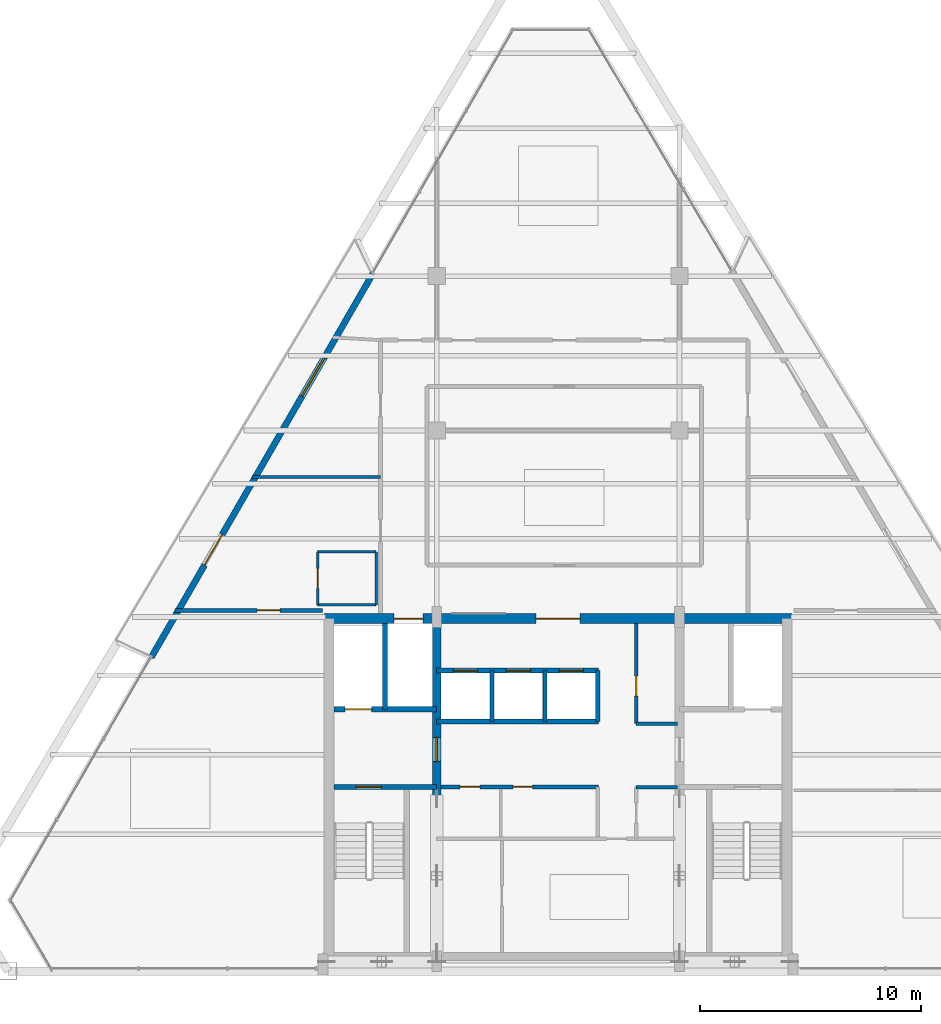
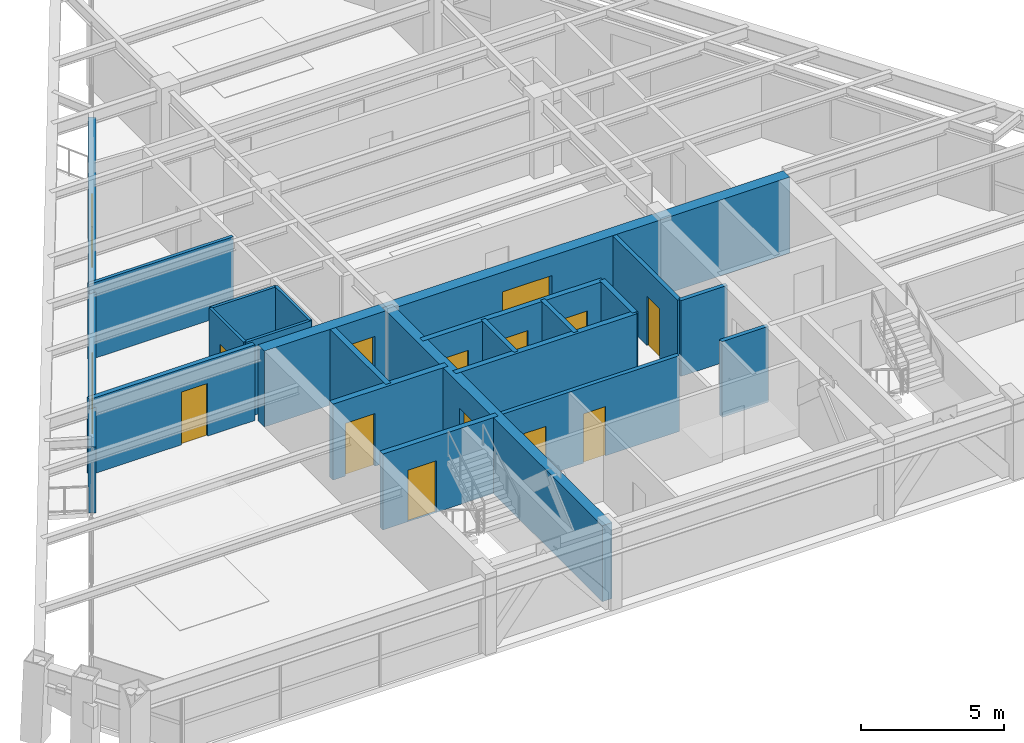
# One storey, part 9 of 13: 21 walls, 14 doors, 1 window, 15 openings.
"""IFC4 building model written with IfcOpenShell, lengths in metres."""

from ifc_helpers import new_model, si_unit, direction, frame, frame_2d, origin, place, context, subcontext, project, spatial, rectangle, extrude, source, transform, mapped, material, layer, layer_set, type_object, type_shapes, element, fill, save


model = new_model("IFC4")

# Units and contexts
model_context = context("Model", 3, precision=1e-05, world=origin(), true_north=direction((0.0, 1.0)))
body_context = subcontext(model_context, "Body", "Model", "MODEL_VIEW")
ifc_project = project(units=[si_unit("LENGTHUNIT", "METRE"), si_unit("AREAUNIT", "SQUARE_METRE"), si_unit("VOLUMEUNIT", "CUBIC_METRE"), si_unit("PLANEANGLEUNIT", "RADIAN"), si_unit("MASSUNIT", "GRAM", prefix="KILO")], contexts=[model_context])

# Site, building, storey
site_placement = place(None, origin())
site = spatial("IfcSite", under=ifc_project, at=site_placement, CompositionType="ELEMENT")
building_placement = place(site_placement, origin())
building = spatial("IfcBuilding", under=site, at=building_placement, Name="Varnakhor Terracotta Tower", CompositionType="ELEMENT")
storey_placement = place(building_placement, frame((0.0, 0.0, 276.449951171875)))
storey = spatial("IfcBuildingStorey", under=building, at=storey_placement, Name="L72", CompositionType="ELEMENT", Elevation=276.449951171875)

# Walls
ifc_material_1 = material(Name="Moisture-Resistant Tile-Backed Partition", Category="gypsum")
ifc_layer_1 = layer(ifc_material_1, 0.114990234375, Name="Moisture-Resistant Tile-Backed Partition")
ifc_layer_set_1 = layer_set([ifc_layer_1], Name="Moisture-Resistant Tile-Backed Partition")
wall_type_1 = type_object("IfcWallType", Name="WAL-BATH-115", PredefinedType="PARTITIONING", material=ifc_layer_set_1)
for number, where, z_axis, x_axis, name in (
    (1, (-10.89990234375, 16.60009765625, 0.0), (0.0, 0.0, 1.0), (1.0, 0.0, 0.0), "L72 En-Suite 1 Wall S"),
    (2, (-10.89990234375, 19.0, 0.0), (0.0, 0.0, 1.0), (1.0, 0.0, 0.0), "L72 En-Suite 1 Wall N"),
):
    element("IfcWall", number, at=place(storey_placement, frame(where, z_axis=z_axis, x_axis=x_axis)), inside=storey, type_object=wall_type_1, Name=name, PredefinedType="PARTITIONING", context=body_context, shape_type="SweptSolid", body=[
        extrude(rectangle(XDim=2.64990234375, YDim=0.114990234375, at=frame_2d((1.324951171875, 0.0))), origin(), (0.0, 0.0, 1.0), 3.23193359375),
    ])

# Wall, opening, door
wall_1_placement = place(storey_placement, frame((-10.89990234375, 16.60009765625, 0.0), z_axis=(0.0, 0.0, 1.0), x_axis=(0.0, 1.0, 0.0)))
wall_1 = element("IfcWall", 3, at=wall_1_placement, inside=storey, type_object=wall_type_1, Name="L72 En-Suite 1 Wall W", PredefinedType="PARTITIONING", context=body_context, shape_type="SweptSolid", body=[
    extrude(rectangle(XDim=2.39990234375, YDim=0.114990234375, at=frame_2d((1.199951171875, 0.0))), origin(), (0.0, 0.0, 1.0), 3.23193359375),
])
opening_1_placement = place(wall_1_placement, frame((0.75, 0.0, 0.0)))
opening_1 = element("IfcOpeningElement", 4, at=opening_1_placement, cuts=wall_1, Name="Opening DR-93", PredefinedType="OPENING", context=body_context, shape_type="SweptSolid", body=[
    extrude(rectangle(XDim=0.89990234375, YDim=2.14990234375, at=frame_2d((0.449951171875, 1.074951171875))), frame((0.0, 0.0673828125, 0.0), z_axis=(0.0, -1.0, 0.0), x_axis=(1.0, 0.0, 0.0)), (0.0, 0.0, 1.0), 0.135009765625),
])
ifc_material_2 = material(Name="Moisture-Resistant Accessible Bathroom Door", Category="wood")
door_type_1 = type_object("IfcDoorType", Name="DR-BATH-900X2150", OperationType="NOTDEFINED", PredefinedType="DOOR", material=ifc_material_2)
shared_shape_1 = source(origin(), body_context, "Body", "SweptSolid", [
    extrude(rectangle(XDim=0.89990234375, YDim=2.14990234375, at=frame_2d((0.449951171875, 1.074951171875))), frame((0.0, 0.02490234375, 0.0), z_axis=(0.0, -1.0, 0.0), x_axis=(1.0, 0.0, 0.0)), (0.0, 0.0, 1.0), 0.050048828125),
])
type_shapes(door_type_1, [shared_shape_1])
door_1_placement = place(opening_1_placement, origin())
door_1 = element("IfcDoor", 5, at=door_1_placement, inside=storey, type_object=door_type_1, Name="L72 En-Suite Bathroom 1 Door", OperationType="SINGLE_SWING_LEFT", OverallHeight=2.14990234375, OverallWidth=0.89990234375, PredefinedType="DOOR", context=body_context, shape_type="MappedRepresentation", body=[
    mapped(shared_shape_1, transform((0.0, 0.0, 0.0), scale=1.0)),
])
fill(opening_1, door_1)

# Wall
wall_2_placement = place(storey_placement, frame((-8.25, 16.60009765625, 0.0), z_axis=(0.0, 0.0, 1.0), x_axis=(0.0, 1.0, 0.0)))
element("IfcWall", 6, at=wall_2_placement, inside=storey, type_object=wall_type_1, Name="L72 En-Suite 1 Wall E", PredefinedType="PARTITIONING", context=body_context, shape_type="SweptSolid", body=[
    extrude(rectangle(XDim=2.39990234375, YDim=0.114990234375, at=frame_2d((1.199951171875, 0.0))), origin(), (0.0, 0.0, 1.0), 3.23193359375),
])

# Wall, openings, doors
ifc_material_3 = material(Name="Concrete C50/60", Category="concrete")
ifc_layer_2 = layer(ifc_material_3, 0.449951171875, Name="Concrete C50/60")
ifc_layer_set_2 = layer_set([ifc_layer_2], Name="Concrete C50/60")
wall_type_2 = type_object("IfcWallType", Name="WAL-CORE-450", PredefinedType="SHEAR", material=ifc_layer_set_2)
wall_3_placement = place(storey_placement, frame((-10.60009765625, 15.97509765625, 0.0), z_axis=(0.0, 0.0, 1.0), x_axis=(1.0, 0.0, 0.0)))
wall_3 = element("IfcWall", 7, at=wall_3_placement, inside=storey, type_object=wall_type_2, Name="L72 North Core Shear Wall", PredefinedType="SHEAR", context=body_context, shape_type="SweptSolid", body=[
    extrude(rectangle(XDim=21.2001953125, YDim=0.449951171875, at=frame_2d((10.60009765625, 0.0))), origin(), (0.0, 0.0, 1.0), 3.239990234375),
])
opening_2_placement = place(wall_3_placement, frame((3.169921875, 0.0, 0.0)))
opening_2 = element("IfcOpeningElement", 8, at=opening_2_placement, cuts=wall_3, Name="Opening LD-03", PredefinedType="OPENING", context=body_context, shape_type="SweptSolid", body=[
    extrude(rectangle(XDim=1.300048828125, YDim=2.300048828125, at=frame_2d((0.64990234375, 1.14990234375))), frame((0.0, 0.23486328125, 0.0), z_axis=(0.0, -1.0, 0.0), x_axis=(1.0, 0.0, 0.0)), (0.0, 0.0, 1.0), 0.469970703125),
])
opening_3_placement = place(wall_3_placement, frame((9.60009765625, 0.0, 0.0)))
opening_3 = element("IfcOpeningElement", 9, at=opening_3_placement, cuts=wall_3, Name="Opening DR-32", PredefinedType="OPENING", context=body_context, shape_type="SweptSolid", body=[
    extrude(rectangle(XDim=2.0, YDim=2.39990234375, at=frame_2d((1.0, 1.199951171875))), frame((0.0, 0.23486328125, 0.0), z_axis=(0.0, -1.0, 0.0), x_axis=(1.0, 0.0, 0.0)), (0.0, 0.0, 1.0), 0.469970703125),
])
ifc_material_4 = material(Name="Heavy-Duty Goods Sliding Lift Landing Door", Category="steel")
door_type_2 = type_object("IfcDoorType", Name="LD-SRV-1300X2300", OperationType="NOTDEFINED", PredefinedType="DOOR", material=ifc_material_4)
shared_shape_2 = source(origin(), body_context, "Body", "SweptSolid", [
    extrude(rectangle(XDim=1.300048828125, YDim=2.300048828125, at=frame_2d((0.64990234375, 1.14990234375))), frame((0.0, 0.02490234375, 0.0), z_axis=(0.0, -1.0, 0.0), x_axis=(1.0, 0.0, 0.0)), (0.0, 0.0, 1.0), 0.050048828125),
])
type_shapes(door_type_2, [shared_shape_2])
door_2_placement = place(opening_2_placement, origin())
door_2 = element("IfcDoor", 10, at=door_2_placement, inside=storey, type_object=door_type_2, Name="L72 Service Lift SVL-1 Landing Door", OperationType="SLIDING_TO_RIGHT", OverallHeight=2.300048828125, OverallWidth=1.300048828125, PredefinedType="DOOR", context=body_context, shape_type="MappedRepresentation", body=[
    mapped(shared_shape_2, transform((0.0, 0.0, 0.0), scale=1.0)),
])
fill(opening_2, door_2)
ifc_material_5 = material(Name="Acoustic Double Assembly Fire Door", Category="wood")
door_type_3 = type_object("IfcDoorType", Name="DR-HALL-2000X2400", OperationType="NOTDEFINED", PredefinedType="DOOR", material=ifc_material_5)
shared_shape_3 = source(origin(), body_context, "Body", "SweptSolid", [
    extrude(rectangle(XDim=2.0, YDim=2.39990234375, at=frame_2d((1.0, 1.199951171875))), frame((0.0, 0.02490234375, 0.0), z_axis=(0.0, -1.0, 0.0), x_axis=(1.0, 0.0, 0.0)), (0.0, 0.0, 1.0), 0.050048828125),
])
type_shapes(door_type_3, [shared_shape_3])
door_3_placement = place(opening_3_placement, origin())
door_3 = element("IfcDoor", 11, at=door_3_placement, inside=storey, type_object=door_type_3, Name="L72 Core Main Lobby Double Door", OperationType="DOUBLE_DOOR_SINGLE_SWING", OverallHeight=2.39990234375, OverallWidth=2.0, PredefinedType="DOOR", context=body_context, shape_type="MappedRepresentation", body=[
    mapped(shared_shape_3, transform((0.0, 0.0, 0.0), scale=1.0)),
])
fill(opening_3, door_3)

# Wall, opening, door
ifc_layer_3 = layer(ifc_material_3, 0.39990234375, Name="Concrete C50/60")
ifc_layer_set_3 = layer_set([ifc_layer_3], Name="Concrete C50/60")
wall_type_3 = type_object("IfcWallType", Name="WAL-CORE-WEB-400", PredefinedType="SHEAR", material=ifc_layer_set_3)
wall_4_placement = place(storey_placement, frame((-5.5, 0.625, 0.0), z_axis=(0.0, 0.0, 1.0), x_axis=(0.0, 1.0, 0.0)))
wall_4 = element("IfcWall", 12, at=wall_4_placement, inside=storey, type_object=wall_type_3, Name="L72 West Core Web Shear Wall", PredefinedType="SHEAR", context=body_context, shape_type="SweptSolid", body=[
    extrude(rectangle(XDim=15.35009765625, YDim=0.39990234375, at=frame_2d((7.675048828125, 0.0))), origin(), (0.0, 0.0, 1.0), 3.239990234375),
])
opening_4_placement = place(wall_4_placement, frame((8.875, 0.0, 0.0)))
opening_4 = element("IfcOpeningElement", 13, at=opening_4_placement, cuts=wall_4, Name="Opening DR-25", PredefinedType="OPENING", context=body_context, shape_type="SweptSolid", body=[
    extrude(rectangle(XDim=1.10009765625, YDim=2.199951171875, at=frame_2d((0.550048828125, 1.10009765625))), frame((0.0, 0.2099609375, 0.0), z_axis=(0.0, -1.0, 0.0), x_axis=(1.0, 0.0, 0.0)), (0.0, 0.0, 1.0), 0.419921875),
])
ifc_material_6 = material(Name="Firefighting Lobby Self-Closing Fire Door", Category="steel")
door_type_4 = type_object("IfcDoorType", Name="DR-FFL-1100X2200", OperationType="NOTDEFINED", PredefinedType="DOOR", material=ifc_material_6)
shared_shape_4 = source(origin(), body_context, "Body", "SweptSolid", [
    extrude(rectangle(XDim=1.10009765625, YDim=2.199951171875, at=frame_2d((0.550048828125, 1.10009765625))), frame((0.0, 0.02490234375, 0.0), z_axis=(0.0, -1.0, 0.0), x_axis=(1.0, 0.0, 0.0)), (0.0, 0.0, 1.0), 0.050048828125),
])
type_shapes(door_type_4, [shared_shape_4])
door_4_placement = place(opening_4_placement, origin())
door_4 = element("IfcDoor", 14, at=door_4_placement, inside=storey, type_object=door_type_4, Name="L72 West Firefighting Lobby Door", OperationType="SINGLE_SWING_RIGHT", OverallHeight=2.199951171875, OverallWidth=1.10009765625, PredefinedType="DOOR", context=body_context, shape_type="MappedRepresentation", body=[
    mapped(shared_shape_4, transform((0.0, 0.0, 0.0), scale=1.0)),
])
fill(opening_4, door_4)

ifc_material_7 = material(Name="Fire-Rated Gypsum Stud Partition", Category="gypsum")
ifc_layer_4 = layer(ifc_material_7, 0.18505859375, Name="Fire-Rated Gypsum Stud Partition")
ifc_layer_set_4 = layer_set([ifc_layer_4], Name="Fire-Rated Gypsum Stud Partition")
wall_type_4 = type_object("IfcWallType", Name="WAL-CORR-185", PredefinedType="PARTITIONING", material=ifc_layer_set_4)
wall_5_placement = place(storey_placement, frame((-17.35986328125, 16.35009765625, 0.0), z_axis=(0.0, 0.0, 1.0), x_axis=(1.0, 0.0, 0.0)))
wall_5 = element("IfcWall", 15, at=wall_5_placement, inside=storey, type_object=wall_type_4, Name="L72 South West Guest Entry Wall", PredefinedType="PARTITIONING", context=body_context, shape_type="SweptSolid", body=[
    extrude(rectangle(XDim=6.679931640625, YDim=0.18505859375, at=frame_2d((3.33984375, 0.0))), origin(), (0.0, 0.0, 1.0), 3.23193359375),
])
opening_5_placement = place(wall_5_placement, frame((3.71484375, 0.0, 0.0)))
opening_5 = element("IfcOpeningElement", 16, at=opening_5_placement, cuts=wall_5, Name="Opening DR-95", PredefinedType="OPENING", context=body_context, shape_type="SweptSolid", body=[
    extrude(rectangle(XDim=1.050048828125, YDim=2.25, at=frame_2d((0.52490234375, 1.125))), frame((0.0, 0.1025390625, 0.0), z_axis=(0.0, -1.0, 0.0), x_axis=(1.0, 0.0, 0.0)), (0.0, 0.0, 1.0), 0.205078125),
])
ifc_material_8 = material(Name="Solid-Core Timber Tenant/Hotel Entrance Door", Category="wood")
door_type_5 = type_object("IfcDoorType", Name="DR-SUITE-1050X2250", OperationType="NOTDEFINED", PredefinedType="DOOR", material=ifc_material_8)
shared_shape_5 = source(origin(), body_context, "Body", "SweptSolid", [
    extrude(rectangle(XDim=1.050048828125, YDim=2.25, at=frame_2d((0.52490234375, 1.125))), frame((0.0, 0.02490234375, 0.0), z_axis=(0.0, -1.0, 0.0), x_axis=(1.0, 0.0, 0.0)), (0.0, 0.0, 1.0), 0.050048828125),
])
type_shapes(door_type_5, [shared_shape_5])
door_5_placement = place(opening_5_placement, origin())
door_5 = element("IfcDoor", 17, at=door_5_placement, inside=storey, type_object=door_type_5, Name="L72 SW Suite Entry Door", OperationType="SINGLE_SWING_LEFT", OverallHeight=2.25, OverallWidth=1.050048828125, PredefinedType="DOOR", context=body_context, shape_type="MappedRepresentation", body=[
    mapped(shared_shape_5, transform((0.0, 0.0, 0.0), scale=1.0)),
])
fill(opening_5, door_5)

# Wall, openings, door, window
ifc_material_9 = material(Name="Extruded Architectural Terracotta Assembly", Category="masonry")
ifc_layer_5 = layer(ifc_material_9, 0.280029296875, Name="Extruded Architectural Terracotta Assembly")
ifc_layer_set_5 = layer_set([ifc_layer_5], Name="Extruded Architectural Terracotta Assembly")
wall_type_5 = type_object("IfcWallType", Name="WAL-EXT-TERRACOTTA-280", PredefinedType="SOLIDWALL", material=ifc_layer_set_5)
wall_6_placement = place(storey_placement, frame((-18.434814453125, 14.228759765625, 0.0), z_axis=(0.0, 0.0, 1.0), x_axis=(0.50006385546, 0.865988533678, 0.0)))
wall_6 = element("IfcWall", 18, at=wall_6_placement, inside=storey, type_object=wall_type_5, Name="L72 W Loggia Insulated Terracotta Wall", PredefinedType="SOLIDWALL", context=body_context, shape_type="SweptSolid", body=[
    extrude(rectangle(XDim=20.096923828125, YDim=0.280029296875, at=frame_2d((10.04833984375, 0.0))), origin(), (0.0, 0.0, 1.0), 2.820068359375),
])
opening_6_placement = place(wall_6_placement, frame((4.8232421875, 0.0, 0.0)))
opening_6 = element("IfcOpeningElement", 19, at=opening_6_placement, cuts=wall_6, Name="Opening DR-62", PredefinedType="OPENING", context=body_context, shape_type="SweptSolid", body=[
    extrude(rectangle(XDim=1.60009765625, YDim=2.35009765625, at=frame_2d((0.800048828125, 1.175048828125))), frame((0.0, 0.14990234375, 0.0), z_axis=(0.0, -1.0, 0.0), x_axis=(1.0, 0.0, 0.0)), (0.0, 0.0, 1.0), 0.300048828125),
])
opening_7_placement = place(wall_6_placement, frame((13.666015625, 0.0, 0.89990234375)))
opening_7 = element("IfcOpeningElement", 20, at=opening_7_placement, cuts=wall_6, Name="Opening WN-63", PredefinedType="OPENING", context=body_context, shape_type="SweptSolid", body=[
    extrude(rectangle(XDim=2.0, YDim=1.75, at=frame_2d((1.0, 0.875))), frame((0.0, 0.14990234375, 0.0), z_axis=(0.0, -1.0, 0.0), x_axis=(1.0, 0.0, 0.0)), (0.0, 0.0, 1.0), 0.300048828125),
])
ifc_material_10 = material(Name="Thermally Broken Sliding Glass Loggia Door", Category="glass")
door_type_6 = type_object("IfcDoorType", Name="DR-EXT-LOGGIA-1600X2350", OperationType="NOTDEFINED", PredefinedType="DOOR", material=ifc_material_10)
shared_shape_6 = source(origin(), body_context, "Body", "SweptSolid", [
    extrude(rectangle(XDim=1.60009765625, YDim=2.35009765625, at=frame_2d((0.800048828125, 1.175048828125))), frame((0.0, 0.02490234375, 0.0), z_axis=(0.0, -1.0, 0.0), x_axis=(1.0, 0.0, 0.0)), (0.0, 0.0, 1.0), 0.050048828125),
])
type_shapes(door_type_6, [shared_shape_6])
door_6_placement = place(opening_6_placement, origin())
door_6 = element("IfcDoor", 21, at=door_6_placement, inside=storey, type_object=door_type_6, Name="L72 W Recessed Loggia Sliding Door", OperationType="SLIDING_TO_LEFT", OverallHeight=2.35009765625, OverallWidth=1.60009765625, PredefinedType="DOOR", context=body_context, shape_type="MappedRepresentation", body=[
    mapped(shared_shape_6, transform((0.0, 0.0, 0.0), scale=1.0)),
])
fill(opening_6, door_6)
ifc_material_11 = material(Name="Solar-Control Low-E Insulated Glass Unit", Category="glass")
window_type = type_object("IfcWindowType", Name="WIN-HTL-2000X1950", PartitioningType="SINGLE_PANEL", PredefinedType="WINDOW", material=ifc_material_11)
shared_shape_7 = source(origin(), body_context, "Body", "SweptSolid", [
    extrude(rectangle(XDim=2.0, YDim=1.75, at=frame_2d((1.0, 0.875))), frame((0.0, 0.030029296875, 0.0), z_axis=(0.0, -1.0, 0.0), x_axis=(1.0, 0.0, 0.0)), (0.0, 0.0, 1.0), 0.06005859375),
])
type_shapes(window_type, [shared_shape_7])
window_placement = place(opening_7_placement, origin())
window = element("IfcWindow", 22, at=window_placement, inside=storey, type_object=window_type, Name="L72 W Facet Punched Window", OverallHeight=1.75, OverallWidth=2.0, PartitioningType="SINGLE_PANEL", PredefinedType="WINDOW", context=body_context, shape_type="MappedRepresentation", body=[
    mapped(shared_shape_7, transform((0.0, 0.0, 0.0), scale=1.0)),
])
fill(opening_7, window)

# Wall, opening, door
ifc_material_12 = material(Name="Concrete C40/50", Category="concrete")
ifc_layer_6 = layer(ifc_material_12, 0.219970703125, Name="Concrete C40/50")
ifc_layer_set_6 = layer_set([ifc_layer_6], Name="Concrete C40/50")
wall_type_6 = type_object("IfcWallType", Name="WAL-FFLOBBY-220", PredefinedType="SOLIDWALL", material=ifc_layer_set_6)
wall_7_placement = place(storey_placement, frame((-5.5, 8.35009765625, 0.0), z_axis=(0.0, 0.0, 1.0), x_axis=(-1.0, 0.0, 0.0)))
wall_7 = element("IfcWall", 23, at=wall_7_placement, inside=storey, type_object=wall_type_6, Name="L72 West Firefighting Lobby Stair Wall", PredefinedType="SOLIDWALL", context=body_context, shape_type="SweptSolid", body=[
    extrude(rectangle(XDim=4.64990234375, YDim=0.219970703125, at=frame_2d((2.324951171875, 0.0))), origin(), (0.0, 0.0, 1.0), 3.239990234375),
])
opening_8_placement = place(wall_7_placement, frame((2.5, 0.0, 0.0)))
opening_8 = element("IfcOpeningElement", 24, at=opening_8_placement, cuts=wall_7, Name="Opening DR-34", PredefinedType="OPENING", context=body_context, shape_type="SweptSolid", body=[
    extrude(rectangle(XDim=1.14990234375, YDim=2.199951171875, at=frame_2d((0.574951171875, 1.10009765625))), frame((0.0, 0.1201171875, 0.0), z_axis=(0.0, -1.0, 0.0), x_axis=(1.0, 0.0, 0.0)), (0.0, 0.0, 1.0), 0.239990234375),
])
ifc_material_13 = material(Name="Self-Closing Smoke-Sealed Steel Fire Door", Category="steel")
door_type_7 = type_object("IfcDoorType", Name="DR-STAIR-1150X2200", OperationType="NOTDEFINED", PredefinedType="DOOR", material=ifc_material_13)
shared_shape_8 = source(origin(), body_context, "Body", "SweptSolid", [
    extrude(rectangle(XDim=1.14990234375, YDim=2.199951171875, at=frame_2d((0.574951171875, 1.10009765625))), frame((0.0, 0.02490234375, 0.0), z_axis=(0.0, -1.0, 0.0), x_axis=(1.0, 0.0, 0.0)), (0.0, 0.0, 1.0), 0.050048828125),
])
type_shapes(door_type_7, [shared_shape_8])
door_7_placement = place(opening_8_placement, origin())
door_7 = element("IfcDoor", 25, at=door_7_placement, inside=storey, type_object=door_type_7, Name="L72 Exit Stair ST-1 Fire Door", OperationType="SINGLE_SWING_LEFT", OverallHeight=2.199951171875, OverallWidth=1.14990234375, PredefinedType="DOOR", context=body_context, shape_type="MappedRepresentation", body=[
    mapped(shared_shape_8, transform((0.0, 0.0, 0.0), scale=1.0)),
])
fill(opening_8, door_7)

# Walls
ifc_material_14 = material(Name="Acoustic Hotel Room Partition", Category="gypsum")
ifc_layer_7 = layer(ifc_material_14, 0.1298828125, Name="Acoustic Hotel Room Partition")
ifc_layer_set_7 = layer_set([ifc_layer_7], Name="Acoustic Hotel Room Partition")
wall_type_7 = type_object("IfcWallType", Name="WAL-PART-130", PredefinedType="PARTITIONING", material=ifc_layer_set_7)
wall_8_placement = place(storey_placement, frame((-13.866455078125, 22.39990234375, 0.0), z_axis=(0.0, 0.0, 1.0), x_axis=(1.0, 0.0, 0.0)))
element("IfcWall", 26, at=wall_8_placement, inside=storey, type_object=wall_type_7, Name="L72 West Key Cut 1", PredefinedType="PARTITIONING", context=body_context, shape_type="SweptSolid", body=[
    extrude(rectangle(XDim=5.81640625, YDim=0.1298828125, at=frame_2d((2.908203125, 0.0))), origin(), (0.0, 0.0, 1.0), 3.23193359375),
])
ifc_layer_8 = layer(ifc_material_12, 0.179931640625, Name="Concrete C40/50")
ifc_layer_set_8 = layer_set([ifc_layer_8], Name="Concrete C40/50")
wall_type_8 = type_object("IfcWallType", Name="WAL-SHAFT-180", PredefinedType="SOLIDWALL", material=ifc_layer_set_8)
for number, where, z_axis, x_axis, name in (
    (27, (-3.0, 11.320068359375, 0.0), (0.0, 0.0, 1.0), (0.0, 1.0, 0.0), "L72 PL-3A Divider"),
    (28, (-0.60009765625, 11.320068359375, 0.0), (0.0, 0.0, 1.0), (0.0, 1.0, 0.0), "L72 PL-3B Divider"),
):
    element("IfcWall", number, at=place(storey_placement, frame(where, z_axis=z_axis, x_axis=x_axis)), inside=storey, type_object=wall_type_8, Name=name, PredefinedType="SOLIDWALL", context=body_context, shape_type="SweptSolid", body=[
        extrude(rectangle(XDim=2.300048828125, YDim=0.179931640625, at=frame_2d((1.14990234375, 0.0))), origin(), (0.0, 0.0, 1.0), 3.239990234375),
    ])
ifc_layer_9 = layer(ifc_material_12, 0.219970703125, Name="Concrete C40/50")
ifc_layer_set_9 = layer_set([ifc_layer_9], Name="Concrete C40/50")
wall_type_9 = type_object("IfcWallType", Name="WAL-SHAFT-220", PredefinedType="SOLIDWALL", material=ifc_layer_set_9)
wall_9_placement = place(storey_placement, frame((-7.840087890625, 11.8701171875, 0.0), z_axis=(0.0, 0.0, 1.0), x_axis=(0.0, 1.0, 0.0)))
element("IfcWall", 29, at=wall_9_placement, inside=storey, type_object=wall_type_9, Name="L72 Lift FFL-1 and SVL-1 Divider Wall", PredefinedType="SOLIDWALL", context=body_context, shape_type="SweptSolid", body=[
    extrude(rectangle(XDim=3.8798828125, YDim=0.219970703125, at=frame_2d((1.93994140625, 0.0))), origin(), (0.0, 0.0, 1.0), 3.239990234375),
])
wall_10_placement = place(storey_placement, frame((-5.5, 11.320068359375, 0.0), z_axis=(0.0, 0.0, 1.0), x_axis=(1.0, 0.0, 0.0)))
element("IfcWall", 30, at=wall_10_placement, inside=storey, type_object=wall_type_9, Name="L72 Bank 3 South Shaft Wall", PredefinedType="SOLIDWALL", context=body_context, shape_type="SweptSolid", body=[
    extrude(rectangle(XDim=7.320068359375, YDim=0.219970703125, at=frame_2d((3.66015625, 0.0))), origin(), (0.0, 0.0, 1.0), 3.239990234375),
])

# Wall, openings, doors
wall_11_placement = place(storey_placement, frame((-5.5, 13.6201171875, 0.0), z_axis=(0.0, 0.0, 1.0), x_axis=(1.0, 0.0, 0.0)))
wall_11 = element("IfcWall", 31, at=wall_11_placement, inside=storey, type_object=wall_type_9, Name="L72 Bank 3 North Shaft Wall", PredefinedType="SOLIDWALL", context=body_context, shape_type="SweptSolid", body=[
    extrude(rectangle(XDim=7.320068359375, YDim=0.219970703125, at=frame_2d((3.66015625, 0.0))), origin(), (0.0, 0.0, 1.0), 3.239990234375),
])
opening_9_placement = place(wall_11_placement, frame((0.75, 0.0, 0.0)))
opening_9 = element("IfcOpeningElement", 32, at=opening_9_placement, cuts=wall_11, Name="Opening LD-01", PredefinedType="OPENING", context=body_context, shape_type="SweptSolid", body=[
    extrude(rectangle(XDim=1.10009765625, YDim=2.199951171875, at=frame_2d((0.550048828125, 1.10009765625))), frame((0.0, 0.1201171875, 0.0), z_axis=(0.0, -1.0, 0.0), x_axis=(1.0, 0.0, 0.0)), (0.0, 0.0, 1.0), 0.239990234375),
])
opening_10_placement = place(wall_11_placement, frame((3.14990234375, 0.0, 0.0)))
opening_10 = element("IfcOpeningElement", 33, at=opening_10_placement, cuts=wall_11, Name="Opening LD-01", PredefinedType="OPENING", context=body_context, shape_type="SweptSolid", body=[
    extrude(rectangle(XDim=1.10009765625, YDim=2.199951171875, at=frame_2d((0.550048828125, 1.10009765625))), frame((0.0, 0.1201171875, 0.0), z_axis=(0.0, -1.0, 0.0), x_axis=(1.0, 0.0, 0.0)), (0.0, 0.0, 1.0), 0.239990234375),
])
opening_11_placement = place(wall_11_placement, frame((5.550048828125, 0.0, 0.0)))
opening_11 = element("IfcOpeningElement", 34, at=opening_11_placement, cuts=wall_11, Name="Opening LD-01", PredefinedType="OPENING", context=body_context, shape_type="SweptSolid", body=[
    extrude(rectangle(XDim=1.10009765625, YDim=2.199951171875, at=frame_2d((0.550048828125, 1.10009765625))), frame((0.0, 0.1201171875, 0.0), z_axis=(0.0, -1.0, 0.0), x_axis=(1.0, 0.0, 0.0)), (0.0, 0.0, 1.0), 0.239990234375),
])
ifc_material_15 = material(Name="Brushed Stainless Steel Sliding Lift Landing Door", Category="steel")
door_type_8 = type_object("IfcDoorType", Name="LD-PASS-1100X2200", OperationType="NOTDEFINED", PredefinedType="DOOR", material=ifc_material_15)
shared_shape_9 = source(origin(), body_context, "Body", "SweptSolid", [
    extrude(rectangle(XDim=1.10009765625, YDim=2.199951171875, at=frame_2d((0.550048828125, 1.10009765625))), frame((0.0, 0.02490234375, 0.0), z_axis=(0.0, -1.0, 0.0), x_axis=(1.0, 0.0, 0.0)), (0.0, 0.0, 1.0), 0.050048828125),
])
type_shapes(door_type_8, [shared_shape_9])
door_8_placement = place(opening_9_placement, origin())
door_8 = element("IfcDoor", 35, at=door_8_placement, inside=storey, type_object=door_type_8, Name="L72 Passenger Lift PL-3A Landing Door", OperationType="SLIDING_TO_RIGHT", OverallHeight=2.199951171875, OverallWidth=1.10009765625, PredefinedType="DOOR", context=body_context, shape_type="MappedRepresentation", body=[
    mapped(shared_shape_9, transform((0.0, 0.0, 0.0), scale=1.0)),
])
fill(opening_9, door_8)
door_9_placement = place(opening_10_placement, origin())
door_9 = element("IfcDoor", 36, at=door_9_placement, inside=storey, type_object=door_type_8, Name="L72 Passenger Lift PL-3B Landing Door", OperationType="SLIDING_TO_RIGHT", OverallHeight=2.199951171875, OverallWidth=1.10009765625, PredefinedType="DOOR", context=body_context, shape_type="MappedRepresentation", body=[
    mapped(shared_shape_9, transform((0.0, 0.0, 0.0), scale=1.0)),
])
fill(opening_10, door_9)
door_10_placement = place(opening_11_placement, origin())
door_10 = element("IfcDoor", 37, at=door_10_placement, inside=storey, type_object=door_type_8, Name="L72 Passenger Lift PL-3C Landing Door", OperationType="SLIDING_TO_RIGHT", OverallHeight=2.199951171875, OverallWidth=1.10009765625, PredefinedType="DOOR", context=body_context, shape_type="MappedRepresentation", body=[
    mapped(shared_shape_9, transform((0.0, 0.0, 0.0), scale=1.0)),
])
fill(opening_11, door_10)

# Wall
wall_12_placement = place(storey_placement, frame((1.800048828125, 11.320068359375, 0.0), z_axis=(0.0, 0.0, 1.0), x_axis=(0.0, 1.0, 0.0)))
element("IfcWall", 38, at=wall_12_placement, inside=storey, type_object=wall_type_9, Name="L72 Bank 3 East Shaft Wall", PredefinedType="SOLIDWALL", context=body_context, shape_type="SweptSolid", body=[
    extrude(rectangle(XDim=2.300048828125, YDim=0.219970703125, at=frame_2d((1.14990234375, 0.0))), origin(), (0.0, 0.0, 1.0), 3.239990234375),
])

# Wall, opening, door
ifc_layer_10 = layer(ifc_material_12, 0.25, Name="Concrete C40/50")
ifc_layer_set_10 = layer_set([ifc_layer_10], Name="Concrete C40/50")
wall_type_10 = type_object("IfcWallType", Name="WAL-SHAFT-250", PredefinedType="SOLIDWALL", material=ifc_layer_set_10)
wall_13_placement = place(storey_placement, frame((-5.5, 11.8701171875, 0.0), z_axis=(0.0, 0.0, 1.0), x_axis=(-1.0, 0.0, 0.0)))
wall_13 = element("IfcWall", 39, at=wall_13_placement, inside=storey, type_object=wall_type_10, Name="L72 Lift FFL-1 Shaft Front Wall", PredefinedType="SOLIDWALL", context=body_context, shape_type="SweptSolid", body=[
    extrude(rectangle(XDim=4.64990234375, YDim=0.25, at=frame_2d((2.324951171875, 0.0))), origin(), (0.0, 0.0, 1.0), 3.239990234375),
])
opening_12_placement = place(wall_13_placement, frame((2.949951171875, 0.0, 0.0)))
opening_12 = element("IfcOpeningElement", 40, at=opening_12_placement, cuts=wall_13, Name="Opening LD-02", PredefinedType="OPENING", context=body_context, shape_type="SweptSolid", body=[
    extrude(rectangle(XDim=1.199951171875, YDim=2.25, at=frame_2d((0.60009765625, 1.125))), frame((0.0, 0.135009765625, 0.0), z_axis=(0.0, -1.0, 0.0), x_axis=(1.0, 0.0, 0.0)), (0.0, 0.0, 1.0), 0.27001953125),
])
ifc_material_16 = material(Name="Firefighting Stretcher Sliding Lift Landing Door", Category="steel")
door_type_9 = type_object("IfcDoorType", Name="LD-FFL-1200X2250", OperationType="NOTDEFINED", PredefinedType="DOOR", material=ifc_material_16)
shared_shape_10 = source(origin(), body_context, "Body", "SweptSolid", [
    extrude(rectangle(XDim=1.199951171875, YDim=2.25, at=frame_2d((0.60009765625, 1.125))), frame((0.0, 0.02490234375, 0.0), z_axis=(0.0, -1.0, 0.0), x_axis=(1.0, 0.0, 0.0)), (0.0, 0.0, 1.0), 0.050048828125),
])
type_shapes(door_type_9, [shared_shape_10])
door_11_placement = place(opening_12_placement, origin())
door_11 = element("IfcDoor", 41, at=door_11_placement, inside=storey, type_object=door_type_9, Name="L72 Firefighting Lift FFL-1 Landing Door", OperationType="SLIDING_TO_LEFT", OverallHeight=2.25, OverallWidth=1.199951171875, PredefinedType="DOOR", context=body_context, shape_type="MappedRepresentation", body=[
    mapped(shared_shape_10, transform((0.0, 0.0, 0.0), scale=1.0)),
])
fill(opening_12, door_11)

# Wall
ifc_material_17 = material(Name="Acoustic Fire-Rated Partition", Category="gypsum")
ifc_layer_11 = layer(ifc_material_17, 0.1650390625, Name="Acoustic Fire-Rated Partition")
ifc_layer_set_11 = layer_set([ifc_layer_11], Name="Acoustic Fire-Rated Partition")
wall_type_11 = type_object("IfcWallType", Name="WAL-TENANCY-165", PredefinedType="PARTITIONING", material=ifc_layer_set_11)
wall_14_placement = place(storey_placement, frame((3.5400390625, 8.340087890625, 0.0), z_axis=(0.0, 0.0, 1.0), x_axis=(1.0, 0.0, 0.0)))
element("IfcWall", 42, at=wall_14_placement, inside=storey, type_object=wall_type_11, Name="L72 Accessible WC North Wall", PredefinedType="PARTITIONING", context=body_context, shape_type="SweptSolid", body=[
    extrude(rectangle(XDim=1.8798828125, YDim=0.1650390625, at=frame_2d((0.93994140625, 0.0))), origin(), (0.0, 0.0, 1.0), 3.23193359375),
])

# Wall, openings, doors
wall_15_placement = place(storey_placement, frame((-5.300048828125, 8.35009765625, 0.0), z_axis=(0.0, 0.0, 1.0), x_axis=(1.0, 0.0, 0.0)))
wall_15 = element("IfcWall", 43, at=wall_15_placement, inside=storey, type_object=wall_type_11, Name="L72 Reclaimed Mid-Core North Wall", PredefinedType="PARTITIONING", context=body_context, shape_type="SweptSolid", body=[
    extrude(rectangle(XDim=7.1201171875, YDim=0.1650390625, at=frame_2d((3.56005859375, 0.0))), origin(), (0.0, 0.0, 1.0), 3.23193359375),
])
opening_13_placement = place(wall_15_placement, frame((0.85009765625, 0.0, 0.0)))
opening_13 = element("IfcOpeningElement", 44, at=opening_13_placement, cuts=wall_15, Name="Opening DR-67", PredefinedType="OPENING", context=body_context, shape_type="SweptSolid", body=[
    extrude(rectangle(XDim=0.89990234375, YDim=2.10009765625, at=frame_2d((0.449951171875, 1.050048828125))), frame((0.0, 0.092529296875, 0.0), z_axis=(0.0, -1.0, 0.0), x_axis=(1.0, 0.0, 0.0)), (0.0, 0.0, 1.0), 0.18505859375),
])
opening_14_placement = place(wall_15_placement, frame((3.25, 0.0, 0.0)))
opening_14 = element("IfcOpeningElement", 45, at=opening_14_placement, cuts=wall_15, Name="Opening DR-67", PredefinedType="OPENING", context=body_context, shape_type="SweptSolid", body=[
    extrude(rectangle(XDim=0.89990234375, YDim=2.10009765625, at=frame_2d((0.449951171875, 1.050048828125))), frame((0.0, 0.092529296875, 0.0), z_axis=(0.0, -1.0, 0.0), x_axis=(1.0, 0.0, 0.0)), (0.0, 0.0, 1.0), 0.18505859375),
])
ifc_material_18 = material(Name="Steel Service Riser Fire Door", Category="steel")
door_type_10 = type_object("IfcDoorType", Name="DR-RISER-900X2100", OperationType="NOTDEFINED", PredefinedType="DOOR", material=ifc_material_18)
shared_shape_11 = source(origin(), body_context, "Body", "SweptSolid", [
    extrude(rectangle(XDim=0.89990234375, YDim=2.10009765625, at=frame_2d((0.449951171875, 1.050048828125))), frame((0.0, 0.02490234375, 0.0), z_axis=(0.0, -1.0, 0.0), x_axis=(1.0, 0.0, 0.0)), (0.0, 0.0, 1.0), 0.050048828125),
])
type_shapes(door_type_10, [shared_shape_11])
door_12_placement = place(opening_13_placement, origin())
door_12 = element("IfcDoor", 46, at=door_12_placement, inside=storey, type_object=door_type_10, Name="L72 Core West Restroom Door", OperationType="SINGLE_SWING_RIGHT", OverallHeight=2.10009765625, OverallWidth=0.89990234375, PredefinedType="DOOR", context=body_context, shape_type="MappedRepresentation", body=[
    mapped(shared_shape_11, transform((0.0, 0.0, 0.0), scale=1.0)),
])
fill(opening_13, door_12)
door_13_placement = place(opening_14_placement, origin())
door_13 = element("IfcDoor", 47, at=door_13_placement, inside=storey, type_object=door_type_10, Name="L72 Core East Restroom Door", OperationType="SINGLE_SWING_LEFT", OverallHeight=2.10009765625, OverallWidth=0.89990234375, PredefinedType="DOOR", context=body_context, shape_type="MappedRepresentation", body=[
    mapped(shared_shape_11, transform((0.0, 0.0, 0.0), scale=1.0)),
])
fill(opening_14, door_13)

# Wall, opening, door
wall_16_placement = place(storey_placement, frame((3.5400390625, 11.219970703125, 0.0), z_axis=(0.0, 0.0, 1.0), x_axis=(0.0, 1.0, 0.0)))
wall_16 = element("IfcWall", 48, at=wall_16_placement, inside=storey, type_object=wall_type_11, Name="L72 Restroom Corridor Wall", PredefinedType="PARTITIONING", context=body_context, shape_type="SweptSolid", body=[
    extrude(rectangle(XDim=4.530029296875, YDim=0.1650390625, at=frame_2d((2.26513671875, 0.0))), origin(), (0.0, 0.0, 1.0), 3.23193359375),
])
opening_15_placement = place(wall_16_placement, frame((1.25, 0.0, 0.0)))
opening_15 = element("IfcOpeningElement", 49, at=opening_15_placement, cuts=wall_16, Name="Opening DR-67", PredefinedType="OPENING", context=body_context, shape_type="SweptSolid", body=[
    extrude(rectangle(XDim=0.89990234375, YDim=2.10009765625, at=frame_2d((0.449951171875, 1.050048828125))), frame((0.0, 0.092529296875, 0.0), z_axis=(0.0, -1.0, 0.0), x_axis=(1.0, 0.0, 0.0)), (0.0, 0.0, 1.0), 0.18505859375),
])
door_14_placement = place(opening_15_placement, origin())
door_14 = element("IfcDoor", 50, at=door_14_placement, inside=storey, type_object=door_type_10, Name="L72 Female WC Door", OperationType="SINGLE_SWING_RIGHT", OverallHeight=2.10009765625, OverallWidth=0.89990234375, PredefinedType="DOOR", context=body_context, shape_type="MappedRepresentation", body=[
    mapped(shared_shape_11, transform((0.0, 0.0, 0.0), scale=1.0)),
])
fill(opening_15, door_14)

# Wall
wall_17_placement = place(storey_placement, frame((3.5400390625, 11.219970703125, 0.0), z_axis=(0.0, 0.0, 1.0), x_axis=(1.0, 0.0, 0.0)))
element("IfcWall", 51, at=wall_17_placement, inside=storey, type_object=wall_type_11, Name="L72 Restroom South Wall", PredefinedType="PARTITIONING", context=body_context, shape_type="SweptSolid", body=[
    extrude(rectangle(XDim=1.8798828125, YDim=0.1650390625, at=frame_2d((0.93994140625, 0.0))), origin(), (0.0, 0.0, 1.0), 3.23193359375),
])

save(model, "model.ifc")
